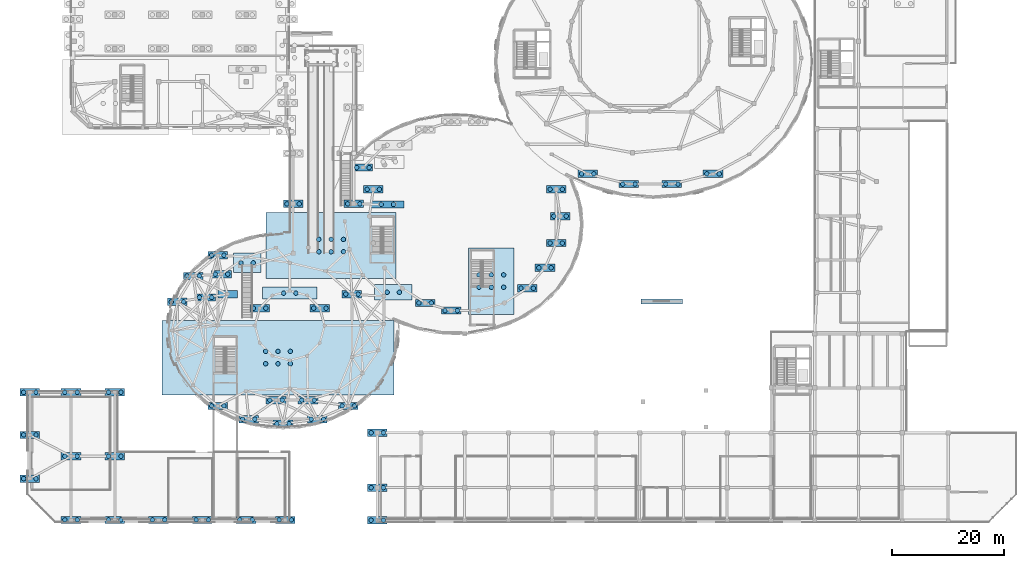
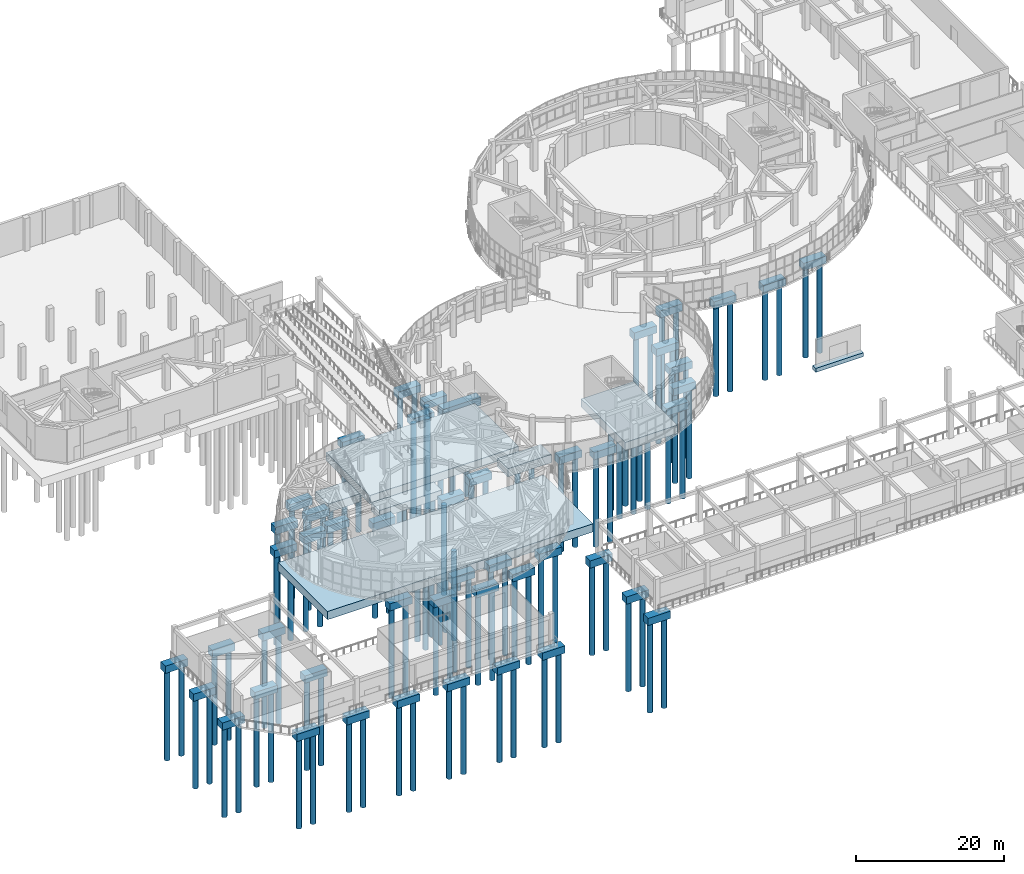
# One storey, part 1 of 96: 118 piles, 55 footings.
"""IFC4 building model written with IfcOpenShell, lengths in metres."""

from ifc_helpers import new_model, si_unit, direction, frame, origin, origin_2d, place, context, subcontext, project, spatial, rectangle, circle, extrude, material, layer, layer_set, material_profile, profile_set, type_object, element, save


model = new_model("IFC4")

# Units and contexts
model_context = context("Model", 3, precision=1e-05, world=origin(), true_north=direction((0.0, 1.0)))
body_context = subcontext(model_context, "Body", "Model", "MODEL_VIEW")
ifc_project = project(units=[si_unit("LENGTHUNIT", "METRE"), si_unit("AREAUNIT", "SQUARE_METRE"), si_unit("VOLUMEUNIT", "CUBIC_METRE"), si_unit("PLANEANGLEUNIT", "RADIAN"), si_unit("MASSUNIT", "GRAM", prefix="KILO")], contexts=[model_context])

# Site, building, storey
site_placement = place(None, origin())
site = spatial("IfcSite", under=ifc_project, at=site_placement, CompositionType="ELEMENT")
building_placement = place(site_placement, origin())
building = spatial("IfcBuilding", under=site, at=building_placement, Name="Pelvatis Terrace Science Centre", CompositionType="ELEMENT")
storey_placement = place(building_placement, origin())
storey = spatial("IfcBuildingStorey", under=building, at=storey_placement, Name="L00", CompositionType="ELEMENT", Elevation=0.0)

# Footings
ifc_material_1 = material(Name="Concrete C35/45", Category="concrete")
ifc_layer_1 = layer(ifc_material_1, 1.35009765625)
ifc_layer_set_1 = layer_set([ifc_layer_1], Name="Concrete C35/45")
footing_type_1 = type_object("IfcFootingType", Name="FTG-CMB-23150x11750x1350", PredefinedType="PILE_CAP", material=ifc_layer_set_1)
footing_1_placement = place(storey_placement, frame((54.176025390625, 49.365234375, -1.630126953125), z_axis=(0.0, 0.0, 1.0), x_axis=(1.0, 0.0, 0.0)))
element("IfcFooting", 1, at=footing_1_placement, inside=storey, type_object=footing_type_1, Name="Foundation cap L00-256", PredefinedType="PILE_CAP", context=body_context, shape_type="SweptSolid", body=[
    extrude(rectangle(XDim=23.14990234375, YDim=11.75, at=origin_2d()), origin(), (0.0, 0.0, 1.0), 1.35009765625),
])
ifc_material_2 = material(Name="Concrete C35/45", Category="concrete")
ifc_layer_2 = layer(ifc_material_2, 1.35009765625)
ifc_layer_set_2 = layer_set([ifc_layer_2], Name="Concrete C35/45")
footing_type_2 = type_object("IfcFootingType", Name="FTG-CMB-41300x13300x1350", PredefinedType="PILE_CAP", material=ifc_layer_set_2)
footing_2_placement = place(storey_placement, frame((44.699951171875, 29.39990234375, -1.630126953125), z_axis=(0.0, 0.0, 1.0), x_axis=(1.0, 0.0, 0.0)))
element("IfcFooting", 2, at=footing_2_placement, inside=storey, type_object=footing_type_2, Name="Foundation cap L00-229", PredefinedType="PILE_CAP", context=body_context, shape_type="SweptSolid", body=[
    extrude(rectangle(XDim=41.300048828125, YDim=13.300048828125, at=origin_2d()), origin(), (0.0, 0.0, 1.0), 1.35009765625),
])
ifc_material_3 = material(Name="Concrete C35/45", Category="concrete")
ifc_layer_3 = layer(ifc_material_3, 1.35009765625)
ifc_layer_set_3 = layer_set([ifc_layer_3], Name="Concrete C35/45")
footing_type_3 = type_object("IfcFootingType", Name="FTG-CMB-4900x3450x1350", PredefinedType="PILE_CAP", material=ifc_layer_set_3)
footing_3_placement = place(storey_placement, frame((39.199951171875, 46.275634765625, -1.630126953125), z_axis=(0.0, 0.0, 1.0), x_axis=(1.0, 0.0, 0.0)))
element("IfcFooting", 3, at=footing_3_placement, inside=storey, type_object=footing_type_3, Name="Foundation cap L00-235", PredefinedType="PILE_CAP", context=body_context, shape_type="SweptSolid", body=[
    extrude(rectangle(XDim=4.89990234375, YDim=3.449951171875, at=origin_2d()), origin(), (0.0, 0.0, 1.0), 1.35009765625),
])
ifc_material_4 = material(Name="Concrete C35/45", Category="concrete")
ifc_layer_4 = layer(ifc_material_4, 1.35009765625)
ifc_layer_set_4 = layer_set([ifc_layer_4], Name="Concrete C35/45")
footing_type_4 = type_object("IfcFootingType", Name="FTG-CMB-5900x1300x1350", PredefinedType="PILE_CAP", material=ifc_layer_set_4)
footing_4_placement = place(storey_placement, frame((64.199951171875, 56.699951171875, -1.630126953125), z_axis=(0.0, 0.0, 1.0), x_axis=(1.0, 0.0, 0.0)))
element("IfcFooting", 4, at=footing_4_placement, inside=storey, type_object=footing_type_4, Name="Foundation cap L00-280", PredefinedType="PILE_CAP", context=body_context, shape_type="SweptSolid", body=[
    extrude(rectangle(XDim=5.89990234375, YDim=1.300048828125, at=origin_2d()), origin(), (0.0, 0.0, 1.0), 1.35009765625),
])
ifc_material_5 = material(Name="Concrete C35/45", Category="concrete")
ifc_layer_5 = layer(ifc_material_5, 1.35009765625)
ifc_layer_set_5 = layer_set([ifc_layer_5], Name="Concrete C35/45")
footing_type_5 = type_object("IfcFootingType", Name="FTG-CMB-6750x2750x1350", PredefinedType="PILE_CAP", material=ifc_layer_set_5)
footing_5_placement = place(storey_placement, frame((65.254150390625, 41.037841796875, -1.630126953125), z_axis=(0.0, 0.0, 1.0), x_axis=(1.0, 0.0, 0.0)))
element("IfcFooting", 5, at=footing_5_placement, inside=storey, type_object=footing_type_5, Name="Foundation cap L00-278", PredefinedType="PILE_CAP", context=body_context, shape_type="SweptSolid", body=[
    extrude(rectangle(XDim=6.75, YDim=2.75, at=origin_2d()), origin(), (0.0, 0.0, 1.0), 1.35009765625),
])
ifc_material_6 = material(Name="Concrete C35/45", Category="concrete")
ifc_layer_6 = layer(ifc_material_6, 1.35009765625)
ifc_layer_set_6 = layer_set([ifc_layer_6], Name="Concrete C35/45")
footing_type_6 = type_object("IfcFootingType", Name="FTG-CMB-8150x11850x1350", PredefinedType="PILE_CAP", material=ifc_layer_set_6)
footing_6_placement = place(storey_placement, frame((82.731201171875, 43.03662109375, -1.630126953125), z_axis=(0.0, 0.0, 1.0), x_axis=(1.0, 0.0, 0.0)))
element("IfcFooting", 6, at=footing_6_placement, inside=storey, type_object=footing_type_6, Name="Foundation cap L00-289", PredefinedType="PILE_CAP", context=body_context, shape_type="SweptSolid", body=[
    extrude(rectangle(XDim=8.14990234375, YDim=11.85009765625, at=origin_2d()), origin(), (0.0, 0.0, 1.0), 1.35009765625),
])
ifc_material_7 = material(Name="Concrete C35/45", Category="concrete")
ifc_layer_7 = layer(ifc_material_7, 1.35009765625)
ifc_layer_set_7 = layer_set([ifc_layer_7], Name="Concrete C35/45")
footing_type_7 = type_object("IfcFootingType", Name="FTG-CMB-9700x2150x1350", PredefinedType="PILE_CAP", material=ifc_layer_set_7)
footing_7_placement = place(storey_placement, frame((46.800048828125, 40.884765625, -1.630126953125), z_axis=(0.0, 0.0, 1.0), x_axis=(1.0, 0.0, 0.0)))
element("IfcFooting", 7, at=footing_7_placement, inside=storey, type_object=footing_type_7, Name="Foundation cap L00-255", PredefinedType="PILE_CAP", context=body_context, shape_type="SweptSolid", body=[
    extrude(rectangle(XDim=9.699951171875, YDim=2.14990234375, at=origin_2d()), origin(), (0.0, 0.0, 1.0), 1.35009765625),
])
ifc_material_8 = material(Name="Concrete C35/45", Category="concrete")
ifc_layer_8 = layer(ifc_material_8, 1.199951171875)
ifc_layer_set_8 = layer_set([ifc_layer_8], Name="Concrete C35/45")
footing_type_8 = type_object("IfcFootingType", Name="FTG-PC2-3500x1300x1200", PredefinedType="PILE_CAP", material=ifc_layer_set_8)
for number, where, z_axis, x_axis, name in (
    (8, (7.800048828125, 0.449951171875, -1.47998046875), (0.0, 0.0, 1.0), (1.0, 0.0, 0.0), "Foundation cap L00-201"),
    (9, (23.39990234375, 0.449951171875, -1.47998046875), (0.0, 0.0, 1.0), (1.0, 0.0, 0.0), "Foundation cap L00-202"),
    (10, (15.60009765625, 0.449951171875, -1.47998046875), (0.0, 0.0, 1.0), (1.0, 0.0, 0.0), "Foundation cap L00-203"),
    (11, (0.449951171875, 7.800048828125, -1.47998046875), (0.0, 0.0, 1.0), (1.0, 0.0, 0.0), "Foundation cap L00-204"),
    (12, (7.800048828125, 11.800048828125, -1.47998046875), (0.0, 0.0, 1.0), (1.0, 0.0, 0.0), "Foundation cap L00-205"),
    (13, (15.60009765625, 11.800048828125, -1.47998046875), (0.0, 0.0, 1.0), (1.0, 0.0, 0.0), "Foundation cap L00-206"),
    (14, (0.449951171875, 15.60009765625, -1.47998046875), (0.0, 0.0, 1.0), (1.0, 0.0, 0.0), "Foundation cap L00-207"),
    (15, (7.800048828125, 23.199951171875, -1.47998046875), (0.0, 0.0, 1.0), (1.0, 0.0, 0.0), "Foundation cap L00-208"),
    (16, (15.60009765625, 23.199951171875, -1.47998046875), (0.0, 0.0, 1.0), (1.0, 0.0, 0.0), "Foundation cap L00-209"),
    (17, (0.449951171875, 23.199951171875, -1.47998046875), (0.0, 0.0, 1.0), (1.0, 0.0, 0.0), "Foundation cap L00-210"),
    (18, (39.0, 0.449951171875, -1.47998046875), (0.0, 0.0, 1.0), (1.0, 0.0, 0.0), "Foundation cap L00-225"),
    (19, (31.199951171875, 0.449951171875, -1.47998046875), (0.0, 0.0, 1.0), (1.0, 0.0, 0.0), "Foundation cap L00-226"),
    (20, (39.4814453125, 18.41259765625, -1.47998046875), (0.0, 0.0, 1.0), (1.0, 0.0, 0.0), "Foundation cap L00-227"),
    (21, (33.9619140625, 20.770263671875, -1.47998046875), (0.0, 0.0, 1.0), (1.0, 0.0, 0.0), "Foundation cap L00-228"),
    (22, (26.76904296875, 39.32958984375, -1.47998046875), (0.0, 0.0, 1.0), (1.0, 0.0, 0.0), "Foundation cap L00-230"),
    (23, (31.7890625, 40.119873046875, -1.47998046875), (0.0, 0.0, 1.0), (1.0, 0.0, 0.0), "Foundation cap L00-231"),
    (24, (35.71484375, 40.699951171875, -1.47998046875), (0.0, 0.0, 1.0), (1.0, 0.0, 0.0), "Foundation cap L00-232"),
    (25, (29.58154296875, 43.957275390625, -1.47998046875), (0.0, 0.0, 1.0), (1.0, 0.0, 0.0), "Foundation cap L00-233"),
    (26, (34.636962890625, 44.2705078125, -1.47998046875), (0.0, 0.0, 1.0), (1.0, 0.0, 0.0), "Foundation cap L00-234"),
    (27, (33.9619140625, 47.629638671875, -1.47998046875), (0.0, 0.0, 1.0), (1.0, 0.0, 0.0), "Foundation cap L00-236"),
    (28, (46.0, 0.449951171875, -1.47998046875), (0.0, 0.0, 1.0), (1.0, 0.0, 0.0), "Foundation cap L00-251"),
    (29, (45.60009765625, 17.60009765625, -1.47998046875), (0.0, 0.0, 1.0), (1.0, 0.0, 0.0), "Foundation cap L00-252"),
    (30, (44.352294921875, 21.809814453125, -1.47998046875), (0.0, 0.0, 1.0), (1.0, 0.0, 0.0), "Foundation cap L00-253"),
    (31, (41.4306640625, 38.199951171875, -1.47998046875), (0.0, 0.0, 1.0), (1.0, 0.0, 0.0), "Foundation cap L00-254"),
    (32, (47.39990234375, 56.800048828125, -1.47998046875), (0.0, 0.0, 1.0), (1.0, 0.0, 0.0), "Foundation cap L00-257"),
    (33, (62.39990234375, 0.39990234375, -1.47998046875), (0.0, 0.0, 1.0), (1.0, 0.0, 0.0), "Foundation cap L00-271"),
    (34, (62.39990234375, 6.199951171875, -1.47998046875), (0.0, 0.0, 1.0), (1.0, 0.0, 0.0), "Foundation cap L00-272"),
    (35, (62.39990234375, 16.0, -1.47998046875), (0.0, 0.0, 1.0), (1.0, 0.0, 0.0), "Foundation cap L00-273"),
    (36, (51.718505859375, 18.41259765625, -1.47998046875), (0.0, 0.0, 1.0), (1.0, 0.0, 0.0), "Foundation cap L00-274"),
    (37, (57.238037109375, 20.770263671875, -1.47998046875), (0.0, 0.0, 1.0), (1.0, 0.0, 0.0), "Foundation cap L00-275"),
    (38, (50.0478515625, 21.809814453125, -1.47998046875), (0.0, 0.0, 1.0), (1.0, 0.0, 0.0), "Foundation cap L00-276"),
    (39, (52.16943359375, 38.199951171875, -1.47998046875), (0.0, 0.0, 1.0), (1.0, 0.0, 0.0), "Foundation cap L00-277"),
    (40, (57.885009765625, 40.699951171875, -1.47998046875), (0.0, 0.0, 1.0), (1.0, 0.0, 0.0), "Foundation cap L00-279"),
    (41, (58.199951171875, 56.800048828125, -1.47998046875), (0.0, 0.0, 1.0), (1.0, 0.0, 0.0), "Foundation cap L00-281"),
    (42, (61.688720703125, 59.389404296875, -1.47998046875), (0.0, 0.0, 1.0), (1.0, 0.0, 0.0), "Foundation cap L00-282"),
    (43, (59.83837890625, 63.269287109375, -1.47998046875), (0.0, 0.0, 1.0), (1.0, 0.0, 0.0), "Foundation cap L00-283"),
    (44, (75.58056640625, 37.77294921875, -1.47998046875), (0.0, 0.0, 1.0), (1.0, 0.0, 0.0), "Foundation cap L00-288"),
    (45, (70.93798828125, 39.13623046875, -1.47998046875), (0.0, 0.0, 1.0), (1.0, 0.0, 0.0), "Foundation cap L00-290"),
    (46, (89.132568359375, 41.752197265625, -1.47998046875), (0.0, 0.0, 1.0), (1.0, 0.0, 0.0), "Foundation cap L00-291"),
    (47, (92.30126953125, 45.4091796875, -1.47998046875), (0.0, 0.0, 1.0), (1.0, 0.0, 0.0), "Foundation cap L00-292"),
    (48, (94.311279296875, 49.810546875, -1.47998046875), (0.0, 0.0, 1.0), (1.0, 0.0, 0.0), "Foundation cap L00-293"),
    (49, (95.0, 54.60009765625, -1.47998046875), (0.0, 0.0, 1.0), (1.0, 0.0, 0.0), "Foundation cap L00-294"),
    (50, (94.311279296875, 59.389404296875, -1.47998046875), (0.0, 0.0, 1.0), (1.0, 0.0, 0.0), "Foundation cap L00-295"),
    (51, (107.271728515625, 60.3310546875, -1.47998046875), (0.0, 0.0, 1.0), (1.0, 0.0, 0.0), "Foundation cap L00-296"),
    (52, (114.92822265625, 60.3310546875, -1.47998046875), (0.0, 0.0, 1.0), (1.0, 0.0, 0.0), "Foundation cap L00-297"),
    (53, (99.92529296875, 62.1513671875, -1.47998046875), (0.0, 0.0, 1.0), (1.0, 0.0, 0.0), "Foundation cap L00-298"),
    (54, (122.274658203125, 62.1513671875, -1.47998046875), (0.0, 0.0, 1.0), (1.0, 0.0, 0.0), "Foundation cap L00-299"),
):
    element("IfcFooting", number, at=place(storey_placement, frame(where, z_axis=z_axis, x_axis=x_axis)), inside=storey, type_object=footing_type_8, Name=name, PredefinedType="PILE_CAP", context=body_context, shape_type="SweptSolid", body=[
        extrude(rectangle(XDim=3.5, YDim=1.300048828125, at=origin_2d()), origin(), (0.0, 0.0, 1.0), 1.199951171875),
    ])
ifc_material_9 = material(Name="Concrete C35/45", Category="concrete")
ifc_material_profile_1 = material_profile(ifc_material_9, rectangle(XDim=0.85009765625, YDim=0.64990234375, at=origin_2d()), Name="RC-STR 850x650")
ifc_profile_set_1 = profile_set([ifc_material_profile_1], Name="Concrete C35/45")
footing_type_9 = type_object("IfcFootingType", Name="FTG-STR-850x650", PredefinedType="STRIP_FOOTING", material=ifc_profile_set_1)
footing_8_placement = place(storey_placement, frame((109.39990234375, 39.39990234375, -0.324951171875), z_axis=(1.0, 0.0, 0.0), x_axis=(0.0, 1.0, 0.0)))
element("IfcFooting", 55, at=footing_8_placement, inside=storey, type_object=footing_type_9, Name="Courtyard gate strip footing 2", PredefinedType="STRIP_FOOTING", context=body_context, shape_type="SweptSolid", body=[
    extrude(rectangle(XDim=0.85009765625, YDim=0.64990234375, at=origin_2d()), origin(), (0.0, 0.0, 1.0), 7.400146484375),
])

# Piles
ifc_material_10 = material(Name="Concrete C30/37", Category="concrete")
ifc_material_profile_2 = material_profile(ifc_material_10, circle(Radius=0.39990234375, at=origin_2d()), Name="PILE D800")
ifc_profile_set_2 = profile_set([ifc_material_profile_2], Name="Concrete C30/37")
pile_type = type_object("IfcPileType", Name="PIL-BORED-D800", PredefinedType="BORED", material=ifc_profile_set_2)
for number, where, z_axis, x_axis, name in (
    (56, (6.699951171875, 0.449951171875, -1.3798828125), (0.0, 0.0, -1.0), (1.0, 0.0, 0.0), "Bored pile L00-201-1"),
    (57, (8.89990234375, 0.449951171875, -1.3798828125), (0.0, 0.0, -1.0), (1.0, 0.0, 0.0), "Bored pile L00-201-2"),
    (58, (22.300048828125, 0.449951171875, -1.3798828125), (0.0, 0.0, -1.0), (1.0, 0.0, 0.0), "Bored pile L00-202-1"),
    (59, (24.5, 0.449951171875, -1.3798828125), (0.0, 0.0, -1.0), (1.0, 0.0, 0.0), "Bored pile L00-202-2"),
    (60, (14.5, 0.449951171875, -1.3798828125), (0.0, 0.0, -1.0), (1.0, 0.0, 0.0), "Bored pile L00-203-1"),
    (61, (16.699951171875, 0.449951171875, -1.3798828125), (0.0, 0.0, -1.0), (1.0, 0.0, 0.0), "Bored pile L00-203-2"),
    (62, (-0.64990234375, 7.800048828125, -1.3798828125), (0.0, 0.0, -1.0), (1.0, 0.0, 0.0), "Bored pile L00-204-1"),
    (63, (1.550048828125, 7.800048828125, -1.3798828125), (0.0, 0.0, -1.0), (1.0, 0.0, 0.0), "Bored pile L00-204-2"),
    (64, (6.699951171875, 11.800048828125, -1.3798828125), (0.0, 0.0, -1.0), (1.0, 0.0, 0.0), "Bored pile L00-205-1"),
    (65, (8.89990234375, 11.800048828125, -1.3798828125), (0.0, 0.0, -1.0), (1.0, 0.0, 0.0), "Bored pile L00-205-2"),
    (66, (14.5, 11.800048828125, -1.3798828125), (0.0, 0.0, -1.0), (1.0, 0.0, 0.0), "Bored pile L00-206-1"),
    (67, (16.699951171875, 11.800048828125, -1.3798828125), (0.0, 0.0, -1.0), (1.0, 0.0, 0.0), "Bored pile L00-206-2"),
    (68, (-0.64990234375, 15.60009765625, -1.3798828125), (0.0, 0.0, -1.0), (1.0, 0.0, 0.0), "Bored pile L00-207-1"),
    (69, (1.550048828125, 15.60009765625, -1.3798828125), (0.0, 0.0, -1.0), (1.0, 0.0, 0.0), "Bored pile L00-207-2"),
    (70, (6.699951171875, 23.199951171875, -1.3798828125), (0.0, 0.0, -1.0), (1.0, 0.0, 0.0), "Bored pile L00-208-1"),
    (71, (8.89990234375, 23.199951171875, -1.3798828125), (0.0, 0.0, -1.0), (1.0, 0.0, 0.0), "Bored pile L00-208-2"),
    (72, (14.5, 23.199951171875, -1.3798828125), (0.0, 0.0, -1.0), (1.0, 0.0, 0.0), "Bored pile L00-209-1"),
    (73, (16.699951171875, 23.199951171875, -1.3798828125), (0.0, 0.0, -1.0), (1.0, 0.0, 0.0), "Bored pile L00-209-2"),
    (74, (-0.64990234375, 23.199951171875, -1.3798828125), (0.0, 0.0, -1.0), (1.0, 0.0, 0.0), "Bored pile L00-210-1"),
    (75, (1.550048828125, 23.199951171875, -1.3798828125), (0.0, 0.0, -1.0), (1.0, 0.0, 0.0), "Bored pile L00-210-2"),
    (76, (37.89990234375, 0.449951171875, -1.3798828125), (0.0, 0.0, -1.0), (1.0, 0.0, 0.0), "Bored pile L00-225-1"),
    (77, (40.10009765625, 0.449951171875, -1.3798828125), (0.0, 0.0, -1.0), (1.0, 0.0, 0.0), "Bored pile L00-225-2"),
    (78, (30.10009765625, 0.449951171875, -1.3798828125), (0.0, 0.0, -1.0), (1.0, 0.0, 0.0), "Bored pile L00-226-1"),
    (79, (32.300048828125, 0.449951171875, -1.3798828125), (0.0, 0.0, -1.0), (1.0, 0.0, 0.0), "Bored pile L00-226-2"),
    (80, (38.381591796875, 18.41259765625, -1.3798828125), (0.0, 0.0, -1.0), (1.0, 0.0, 0.0), "Bored pile L00-227-1"),
    (81, (40.58154296875, 18.41259765625, -1.3798828125), (0.0, 0.0, -1.0), (1.0, 0.0, 0.0), "Bored pile L00-227-2"),
    (82, (32.86181640625, 20.770263671875, -1.3798828125), (0.0, 0.0, -1.0), (1.0, 0.0, 0.0), "Bored pile L00-228-1"),
    (83, (35.06201171875, 20.770263671875, -1.3798828125), (0.0, 0.0, -1.0), (1.0, 0.0, 0.0), "Bored pile L00-228-2"),
):
    element("IfcPile", number, at=place(storey_placement, frame(where, z_axis=z_axis, x_axis=x_axis)), inside=storey, type_object=pile_type, Name=name, PredefinedType="BORED", context=body_context, shape_type="SweptSolid", body=[
        extrude(circle(Radius=0.39990234375, at=origin_2d()), origin(), (0.0, 0.0, 1.0), 14.820068359375),
    ])
for number, where, z_axis, x_axis, name in (
    (84, (42.5, 28.300048828125, -1.530029296875), (0.0, 0.0, -1.0), (1.0, 0.0, 0.0), "Bored pile L00-229-1"),
    (85, (44.699951171875, 28.300048828125, -1.530029296875), (0.0, 0.0, -1.0), (1.0, 0.0, 0.0), "Bored pile L00-229-2"),
    (86, (46.89990234375, 28.300048828125, -1.530029296875), (0.0, 0.0, -1.0), (1.0, 0.0, 0.0), "Bored pile L00-229-3"),
    (87, (42.5, 30.5, -1.530029296875), (0.0, 0.0, -1.0), (1.0, 0.0, 0.0), "Bored pile L00-229-4"),
    (88, (44.699951171875, 30.5, -1.530029296875), (0.0, 0.0, -1.0), (1.0, 0.0, 0.0), "Bored pile L00-229-5"),
    (89, (46.89990234375, 30.5, -1.530029296875), (0.0, 0.0, -1.0), (1.0, 0.0, 0.0), "Bored pile L00-229-6"),
):
    element("IfcPile", number, at=place(storey_placement, frame(where, z_axis=z_axis, x_axis=x_axis)), inside=storey, type_object=pile_type, Name=name, PredefinedType="BORED", context=body_context, shape_type="SweptSolid", body=[
        extrude(circle(Radius=0.39990234375, at=origin_2d()), origin(), (0.0, 0.0, 1.0), 14.669921875),
    ])
for number, where, z_axis, x_axis, name in (
    (90, (25.669189453125, 39.32958984375, -1.3798828125), (0.0, 0.0, -1.0), (1.0, 0.0, 0.0), "Bored pile L00-230-1"),
    (91, (27.869140625, 39.32958984375, -1.3798828125), (0.0, 0.0, -1.0), (1.0, 0.0, 0.0), "Bored pile L00-230-2"),
    (92, (30.68896484375, 40.119873046875, -1.3798828125), (0.0, 0.0, -1.0), (1.0, 0.0, 0.0), "Bored pile L00-231-1"),
    (93, (32.888916015625, 40.119873046875, -1.3798828125), (0.0, 0.0, -1.0), (1.0, 0.0, 0.0), "Bored pile L00-231-2"),
    (94, (28.4814453125, 43.957275390625, -1.3798828125), (0.0, 0.0, -1.0), (1.0, 0.0, 0.0), "Bored pile L00-233-1"),
    (95, (30.681396484375, 43.957275390625, -1.3798828125), (0.0, 0.0, -1.0), (1.0, 0.0, 0.0), "Bored pile L00-233-2"),
    (96, (33.536865234375, 44.2705078125, -1.3798828125), (0.0, 0.0, -1.0), (1.0, 0.0, 0.0), "Bored pile L00-234-1"),
    (97, (35.73681640625, 44.2705078125, -1.3798828125), (0.0, 0.0, -1.0), (1.0, 0.0, 0.0), "Bored pile L00-234-2"),
):
    element("IfcPile", number, at=place(storey_placement, frame(where, z_axis=z_axis, x_axis=x_axis)), inside=storey, type_object=pile_type, Name=name, PredefinedType="BORED", context=body_context, shape_type="SweptSolid", body=[
        extrude(circle(Radius=0.39990234375, at=origin_2d()), origin(), (0.0, 0.0, 1.0), 14.820068359375),
    ])
for number, where, z_axis, x_axis, name in (
    (98, (38.10009765625, 46.275634765625, -1.530029296875), (0.0, 0.0, -1.0), (1.0, 0.0, 0.0), "Bored pile L00-235-1"),
    (99, (40.300048828125, 46.275634765625, -1.530029296875), (0.0, 0.0, -1.0), (1.0, 0.0, 0.0), "Bored pile L00-235-2"),
):
    element("IfcPile", number, at=place(storey_placement, frame(where, z_axis=z_axis, x_axis=x_axis)), inside=storey, type_object=pile_type, Name=name, PredefinedType="BORED", context=body_context, shape_type="SweptSolid", body=[
        extrude(circle(Radius=0.39990234375, at=origin_2d()), origin(), (0.0, 0.0, 1.0), 14.669921875),
    ])
for number, where, z_axis, x_axis, name in (
    (100, (32.86181640625, 47.629638671875, -1.3798828125), (0.0, 0.0, -1.0), (1.0, 0.0, 0.0), "Bored pile L00-236-1"),
    (101, (35.06201171875, 47.629638671875, -1.3798828125), (0.0, 0.0, -1.0), (1.0, 0.0, 0.0), "Bored pile L00-236-2"),
    (102, (44.89990234375, 0.449951171875, -1.3798828125), (0.0, 0.0, -1.0), (1.0, 0.0, 0.0), "Bored pile L00-251-1"),
    (103, (47.10009765625, 0.449951171875, -1.3798828125), (0.0, 0.0, -1.0), (1.0, 0.0, 0.0), "Bored pile L00-251-2"),
    (104, (44.5, 17.60009765625, -1.3798828125), (0.0, 0.0, -1.0), (1.0, 0.0, 0.0), "Bored pile L00-252-1"),
    (105, (46.699951171875, 17.60009765625, -1.3798828125), (0.0, 0.0, -1.0), (1.0, 0.0, 0.0), "Bored pile L00-252-2"),
    (106, (43.252197265625, 21.809814453125, -1.3798828125), (0.0, 0.0, -1.0), (1.0, 0.0, 0.0), "Bored pile L00-253-1"),
    (107, (45.4521484375, 21.809814453125, -1.3798828125), (0.0, 0.0, -1.0), (1.0, 0.0, 0.0), "Bored pile L00-253-2"),
    (108, (40.33056640625, 38.199951171875, -1.3798828125), (0.0, 0.0, -1.0), (1.0, 0.0, 0.0), "Bored pile L00-254-1"),
    (109, (42.530517578125, 38.199951171875, -1.3798828125), (0.0, 0.0, -1.0), (1.0, 0.0, 0.0), "Bored pile L00-254-2"),
):
    element("IfcPile", number, at=place(storey_placement, frame(where, z_axis=z_axis, x_axis=x_axis)), inside=storey, type_object=pile_type, Name=name, PredefinedType="BORED", context=body_context, shape_type="SweptSolid", body=[
        extrude(circle(Radius=0.39990234375, at=origin_2d()), origin(), (0.0, 0.0, 1.0), 14.820068359375),
    ])
for number, where, z_axis, x_axis, name in (
    (110, (45.699951171875, 40.884765625, -1.530029296875), (0.0, 0.0, -1.0), (1.0, 0.0, 0.0), "Bored pile L00-255-1"),
    (111, (47.89990234375, 40.884765625, -1.530029296875), (0.0, 0.0, -1.0), (1.0, 0.0, 0.0), "Bored pile L00-255-2"),
    (112, (51.97607421875, 48.265380859375, -1.530029296875), (0.0, 0.0, -1.0), (1.0, 0.0, 0.0), "Bored pile L00-256-1"),
    (113, (54.176025390625, 48.265380859375, -1.530029296875), (0.0, 0.0, -1.0), (1.0, 0.0, 0.0), "Bored pile L00-256-2"),
    (114, (56.376220703125, 48.265380859375, -1.530029296875), (0.0, 0.0, -1.0), (1.0, 0.0, 0.0), "Bored pile L00-256-3"),
    (115, (51.97607421875, 50.46533203125, -1.530029296875), (0.0, 0.0, -1.0), (1.0, 0.0, 0.0), "Bored pile L00-256-4"),
    (116, (54.176025390625, 50.46533203125, -1.530029296875), (0.0, 0.0, -1.0), (1.0, 0.0, 0.0), "Bored pile L00-256-5"),
    (117, (56.376220703125, 50.46533203125, -1.530029296875), (0.0, 0.0, -1.0), (1.0, 0.0, 0.0), "Bored pile L00-256-6"),
):
    element("IfcPile", number, at=place(storey_placement, frame(where, z_axis=z_axis, x_axis=x_axis)), inside=storey, type_object=pile_type, Name=name, PredefinedType="BORED", context=body_context, shape_type="SweptSolid", body=[
        extrude(circle(Radius=0.39990234375, at=origin_2d()), origin(), (0.0, 0.0, 1.0), 14.669921875),
    ])
for number, where, z_axis, x_axis, name in (
    (118, (46.300048828125, 56.800048828125, -1.3798828125), (0.0, 0.0, -1.0), (1.0, 0.0, 0.0), "Bored pile L00-257-1"),
    (119, (48.5, 56.800048828125, -1.3798828125), (0.0, 0.0, -1.0), (1.0, 0.0, 0.0), "Bored pile L00-257-2"),
    (120, (61.300048828125, 0.39990234375, -1.3798828125), (0.0, 0.0, -1.0), (1.0, 0.0, 0.0), "Bored pile L00-271-1"),
    (121, (63.5, 0.39990234375, -1.3798828125), (0.0, 0.0, -1.0), (1.0, 0.0, 0.0), "Bored pile L00-271-2"),
    (122, (61.300048828125, 6.199951171875, -1.3798828125), (0.0, 0.0, -1.0), (1.0, 0.0, 0.0), "Bored pile L00-272-1"),
    (123, (63.5, 6.199951171875, -1.3798828125), (0.0, 0.0, -1.0), (1.0, 0.0, 0.0), "Bored pile L00-272-2"),
    (124, (61.300048828125, 16.0, -1.3798828125), (0.0, 0.0, -1.0), (1.0, 0.0, 0.0), "Bored pile L00-273-1"),
    (125, (63.5, 16.0, -1.3798828125), (0.0, 0.0, -1.0), (1.0, 0.0, 0.0), "Bored pile L00-273-2"),
    (126, (50.618408203125, 18.41259765625, -1.3798828125), (0.0, 0.0, -1.0), (1.0, 0.0, 0.0), "Bored pile L00-274-1"),
    (127, (52.818603515625, 18.41259765625, -1.3798828125), (0.0, 0.0, -1.0), (1.0, 0.0, 0.0), "Bored pile L00-274-2"),
    (128, (56.13818359375, 20.770263671875, -1.3798828125), (0.0, 0.0, -1.0), (1.0, 0.0, 0.0), "Bored pile L00-275-1"),
    (129, (58.338134765625, 20.770263671875, -1.3798828125), (0.0, 0.0, -1.0), (1.0, 0.0, 0.0), "Bored pile L00-275-2"),
    (130, (48.94775390625, 21.809814453125, -1.3798828125), (0.0, 0.0, -1.0), (1.0, 0.0, 0.0), "Bored pile L00-276-1"),
    (131, (51.147705078125, 21.809814453125, -1.3798828125), (0.0, 0.0, -1.0), (1.0, 0.0, 0.0), "Bored pile L00-276-2"),
    (132, (51.0693359375, 38.199951171875, -1.3798828125), (0.0, 0.0, -1.0), (1.0, 0.0, 0.0), "Bored pile L00-277-1"),
    (133, (53.269287109375, 38.199951171875, -1.3798828125), (0.0, 0.0, -1.0), (1.0, 0.0, 0.0), "Bored pile L00-277-2"),
):
    element("IfcPile", number, at=place(storey_placement, frame(where, z_axis=z_axis, x_axis=x_axis)), inside=storey, type_object=pile_type, Name=name, PredefinedType="BORED", context=body_context, shape_type="SweptSolid", body=[
        extrude(circle(Radius=0.39990234375, at=origin_2d()), origin(), (0.0, 0.0, 1.0), 14.820068359375),
    ])
for number, where, z_axis, x_axis, name in (
    (134, (64.154052734375, 41.037841796875, -1.530029296875), (0.0, 0.0, -1.0), (1.0, 0.0, 0.0), "Bored pile L00-278-1"),
    (135, (66.35400390625, 41.037841796875, -1.530029296875), (0.0, 0.0, -1.0), (1.0, 0.0, 0.0), "Bored pile L00-278-2"),
):
    element("IfcPile", number, at=place(storey_placement, frame(where, z_axis=z_axis, x_axis=x_axis)), inside=storey, type_object=pile_type, Name=name, PredefinedType="BORED", context=body_context, shape_type="SweptSolid", body=[
        extrude(circle(Radius=0.39990234375, at=origin_2d()), origin(), (0.0, 0.0, 1.0), 14.669921875),
    ])
for number, where, z_axis, x_axis, name in (
    (136, (56.78515625, 40.699951171875, -1.3798828125), (0.0, 0.0, -1.0), (1.0, 0.0, 0.0), "Bored pile L00-279-1"),
    (137, (58.985107421875, 40.699951171875, -1.3798828125), (0.0, 0.0, -1.0), (1.0, 0.0, 0.0), "Bored pile L00-279-2"),
):
    element("IfcPile", number, at=place(storey_placement, frame(where, z_axis=z_axis, x_axis=x_axis)), inside=storey, type_object=pile_type, Name=name, PredefinedType="BORED", context=body_context, shape_type="SweptSolid", body=[
        extrude(circle(Radius=0.39990234375, at=origin_2d()), origin(), (0.0, 0.0, 1.0), 14.820068359375),
    ])
for number, where, z_axis, x_axis, name in (
    (138, (63.10009765625, 56.699951171875, -1.530029296875), (0.0, 0.0, -1.0), (1.0, 0.0, 0.0), "Bored pile L00-280-1"),
    (139, (65.300048828125, 56.699951171875, -1.530029296875), (0.0, 0.0, -1.0), (1.0, 0.0, 0.0), "Bored pile L00-280-2"),
):
    element("IfcPile", number, at=place(storey_placement, frame(where, z_axis=z_axis, x_axis=x_axis)), inside=storey, type_object=pile_type, Name=name, PredefinedType="BORED", context=body_context, shape_type="SweptSolid", body=[
        extrude(circle(Radius=0.39990234375, at=origin_2d()), origin(), (0.0, 0.0, 1.0), 14.669921875),
    ])
for number, where, z_axis, x_axis, name in (
    (140, (57.10009765625, 56.800048828125, -1.3798828125), (0.0, 0.0, -1.0), (1.0, 0.0, 0.0), "Bored pile L00-281-1"),
    (141, (59.300048828125, 56.800048828125, -1.3798828125), (0.0, 0.0, -1.0), (1.0, 0.0, 0.0), "Bored pile L00-281-2"),
    (142, (60.588623046875, 59.389404296875, -1.3798828125), (0.0, 0.0, -1.0), (1.0, 0.0, 0.0), "Bored pile L00-282-1"),
    (143, (62.78857421875, 59.389404296875, -1.3798828125), (0.0, 0.0, -1.0), (1.0, 0.0, 0.0), "Bored pile L00-282-2"),
    (144, (58.73828125, 63.269287109375, -1.3798828125), (0.0, 0.0, -1.0), (1.0, 0.0, 0.0), "Bored pile L00-283-1"),
    (145, (60.9384765625, 63.269287109375, -1.3798828125), (0.0, 0.0, -1.0), (1.0, 0.0, 0.0), "Bored pile L00-283-2"),
    (146, (74.480712890625, 37.77294921875, -1.3798828125), (0.0, 0.0, -1.0), (1.0, 0.0, 0.0), "Bored pile L00-288-1"),
    (147, (76.6806640625, 37.77294921875, -1.3798828125), (0.0, 0.0, -1.0), (1.0, 0.0, 0.0), "Bored pile L00-288-2"),
):
    element("IfcPile", number, at=place(storey_placement, frame(where, z_axis=z_axis, x_axis=x_axis)), inside=storey, type_object=pile_type, Name=name, PredefinedType="BORED", context=body_context, shape_type="SweptSolid", body=[
        extrude(circle(Radius=0.39990234375, at=origin_2d()), origin(), (0.0, 0.0, 1.0), 14.820068359375),
    ])
for number, where, z_axis, x_axis, name in (
    (148, (80.531005859375, 41.9365234375, -1.530029296875), (0.0, 0.0, -1.0), (1.0, 0.0, 0.0), "Bored pile L00-289-1"),
    (149, (82.731201171875, 41.9365234375, -1.530029296875), (0.0, 0.0, -1.0), (1.0, 0.0, 0.0), "Bored pile L00-289-2"),
    (150, (84.93115234375, 41.9365234375, -1.530029296875), (0.0, 0.0, -1.0), (1.0, 0.0, 0.0), "Bored pile L00-289-3"),
    (151, (80.531005859375, 44.136474609375, -1.530029296875), (0.0, 0.0, -1.0), (1.0, 0.0, 0.0), "Bored pile L00-289-4"),
    (152, (82.731201171875, 44.136474609375, -1.530029296875), (0.0, 0.0, -1.0), (1.0, 0.0, 0.0), "Bored pile L00-289-5"),
    (153, (84.93115234375, 44.136474609375, -1.530029296875), (0.0, 0.0, -1.0), (1.0, 0.0, 0.0), "Bored pile L00-289-6"),
):
    element("IfcPile", number, at=place(storey_placement, frame(where, z_axis=z_axis, x_axis=x_axis)), inside=storey, type_object=pile_type, Name=name, PredefinedType="BORED", context=body_context, shape_type="SweptSolid", body=[
        extrude(circle(Radius=0.39990234375, at=origin_2d()), origin(), (0.0, 0.0, 1.0), 14.669921875),
    ])
for number, where, z_axis, x_axis, name in (
    (154, (69.837890625, 39.13623046875, -1.3798828125), (0.0, 0.0, -1.0), (1.0, 0.0, 0.0), "Bored pile L00-290-1"),
    (155, (72.037841796875, 39.13623046875, -1.3798828125), (0.0, 0.0, -1.0), (1.0, 0.0, 0.0), "Bored pile L00-290-2"),
    (156, (88.03271484375, 41.752197265625, -1.3798828125), (0.0, 0.0, -1.0), (1.0, 0.0, 0.0), "Bored pile L00-291-1"),
    (157, (90.232666015625, 41.752197265625, -1.3798828125), (0.0, 0.0, -1.0), (1.0, 0.0, 0.0), "Bored pile L00-291-2"),
    (158, (91.201416015625, 45.4091796875, -1.3798828125), (0.0, 0.0, -1.0), (1.0, 0.0, 0.0), "Bored pile L00-292-1"),
    (159, (93.4013671875, 45.4091796875, -1.3798828125), (0.0, 0.0, -1.0), (1.0, 0.0, 0.0), "Bored pile L00-292-2"),
    (160, (93.21142578125, 49.810546875, -1.3798828125), (0.0, 0.0, -1.0), (1.0, 0.0, 0.0), "Bored pile L00-293-1"),
    (161, (95.411376953125, 49.810546875, -1.3798828125), (0.0, 0.0, -1.0), (1.0, 0.0, 0.0), "Bored pile L00-293-2"),
    (162, (93.89990234375, 54.60009765625, -1.3798828125), (0.0, 0.0, -1.0), (1.0, 0.0, 0.0), "Bored pile L00-294-1"),
    (163, (96.10009765625, 54.60009765625, -1.3798828125), (0.0, 0.0, -1.0), (1.0, 0.0, 0.0), "Bored pile L00-294-2"),
    (164, (93.21142578125, 59.389404296875, -1.3798828125), (0.0, 0.0, -1.0), (1.0, 0.0, 0.0), "Bored pile L00-295-1"),
    (165, (95.411376953125, 59.389404296875, -1.3798828125), (0.0, 0.0, -1.0), (1.0, 0.0, 0.0), "Bored pile L00-295-2"),
    (166, (106.171630859375, 60.3310546875, -1.3798828125), (0.0, 0.0, -1.0), (1.0, 0.0, 0.0), "Bored pile L00-296-1"),
    (167, (108.37158203125, 60.3310546875, -1.3798828125), (0.0, 0.0, -1.0), (1.0, 0.0, 0.0), "Bored pile L00-296-2"),
    (168, (113.828369140625, 60.3310546875, -1.3798828125), (0.0, 0.0, -1.0), (1.0, 0.0, 0.0), "Bored pile L00-297-1"),
    (169, (116.0283203125, 60.3310546875, -1.3798828125), (0.0, 0.0, -1.0), (1.0, 0.0, 0.0), "Bored pile L00-297-2"),
    (170, (98.8251953125, 62.1513671875, -1.3798828125), (0.0, 0.0, -1.0), (1.0, 0.0, 0.0), "Bored pile L00-298-1"),
    (171, (101.025390625, 62.1513671875, -1.3798828125), (0.0, 0.0, -1.0), (1.0, 0.0, 0.0), "Bored pile L00-298-2"),
    (172, (121.1748046875, 62.1513671875, -1.3798828125), (0.0, 0.0, -1.0), (1.0, 0.0, 0.0), "Bored pile L00-299-1"),
    (173, (123.374755859375, 62.1513671875, -1.3798828125), (0.0, 0.0, -1.0), (1.0, 0.0, 0.0), "Bored pile L00-299-2"),
):
    element("IfcPile", number, at=place(storey_placement, frame(where, z_axis=z_axis, x_axis=x_axis)), inside=storey, type_object=pile_type, Name=name, PredefinedType="BORED", context=body_context, shape_type="SweptSolid", body=[
        extrude(circle(Radius=0.39990234375, at=origin_2d()), origin(), (0.0, 0.0, 1.0), 14.820068359375),
    ])

save(model, "model.ifc")
